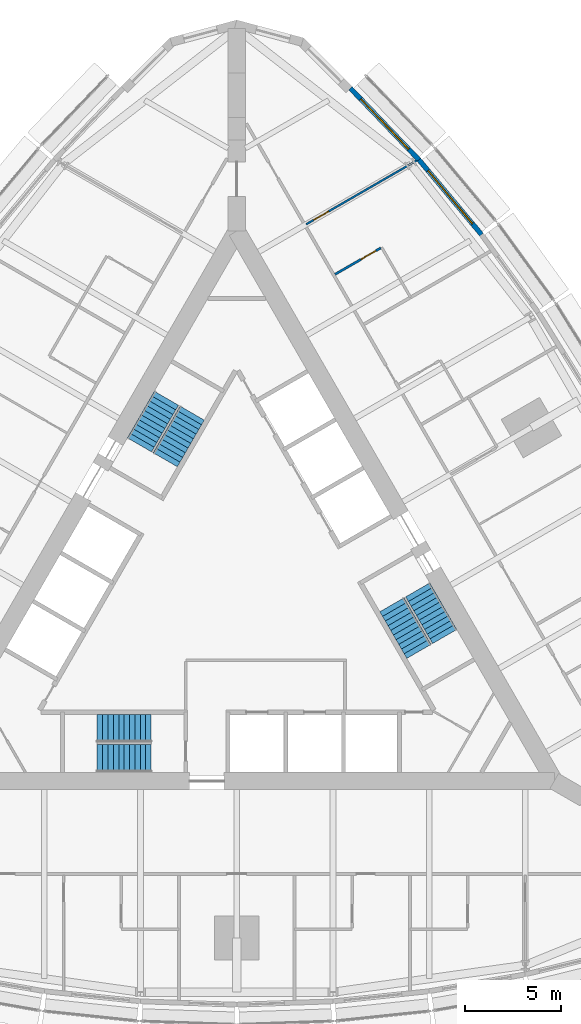
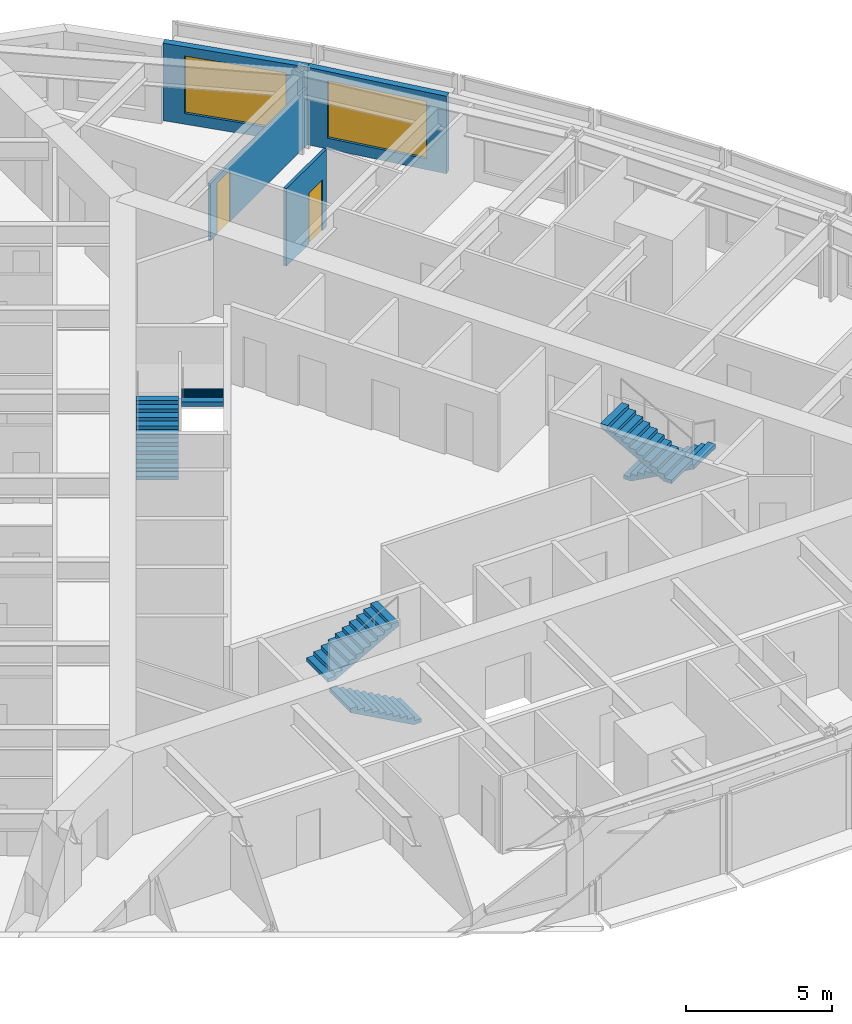
# One storey, part 13 of 14: 6 stair flights, 4 walls, 2 doors, 2 windows, 4 openings, 3 elements without a shape of their own.
"""IFC4 building model written with IfcOpenShell, lengths in metres."""

from ifc_helpers import new_model, si_unit, direction, frame, frame_2d, origin, place, context, subcontext, project, spatial, polyline, rectangle, outline, extrude, material, layer, layer_set, type_object, element, fill, aggregate, save


model = new_model("IFC4")

# Units and contexts
model_context = context("Model", 3, precision=1e-05, world=origin(), true_north=direction((0.0, 1.0)))
body_context = subcontext(model_context, "Body", "Model", "MODEL_VIEW")
ifc_project = project(units=[si_unit("LENGTHUNIT", "METRE"), si_unit("AREAUNIT", "SQUARE_METRE"), si_unit("VOLUMEUNIT", "CUBIC_METRE"), si_unit("PLANEANGLEUNIT", "RADIAN"), si_unit("MASSUNIT", "GRAM", prefix="KILO")], contexts=[model_context])

# Site, building, storey
site_placement = place(None, origin())
site = spatial("IfcSite", under=ifc_project, at=site_placement, CompositionType="ELEMENT")
building_placement = place(site_placement, origin())
building = spatial("IfcBuilding", under=site, at=building_placement, Name="Trikona Tower", CompositionType="ELEMENT")
storey_placement = place(building_placement, frame((0.0, 0.0, 169.10009765625)))
storey = spatial("IfcBuildingStorey", under=building, at=storey_placement, Name="L45", CompositionType="ELEMENT", Elevation=169.10009765625)

# Wall, opening, door
ifc_material_1 = material(Name="Metal stud and cement board", Category="gypsum")
ifc_layer_1 = layer(ifc_material_1, 0.1201171875)
ifc_layer_set_1 = layer_set([ifc_layer_1], Name="Bathroom wall 120")
wall_type_1 = type_object("IfcWallType", Name="Bathroom wall 120", PredefinedType="PLUMBINGWALL", material=ifc_layer_set_1)
wall_1_placement = place(storey_placement, frame((5.10791015625, 16.805419921875, 0.0), z_axis=(0.0, 0.0, 1.0), x_axis=(0.866035715982, 0.499982138324, 0.0)))
wall_1 = element("IfcWall", 1, at=wall_1_placement, inside=storey, type_object=wall_type_1, Name="Bathroom wall 4509.1", PredefinedType="PLUMBINGWALL", context=body_context, shape_type="SweptSolid", body=[
    extrude(rectangle(XDim=2.73974609375, YDim=0.1201171875, at=frame_2d((1.369873046875, 0.0))), origin(), (0.0, 0.0, 1.0), 3.23486328125),
])
opening_1_placement = place(wall_1_placement, frame((1.550048828125, 0.0, 0.0)))
opening_1 = element("IfcOpeningElement", 2, at=opening_1_placement, cuts=wall_1, Name="Opening D2", PredefinedType="OPENING", context=body_context, shape_type="SweptSolid", body=[
    extrude(rectangle(XDim=0.89990234375, YDim=2.1298828125, at=frame_2d((0.449951171875, 1.06494140625))), frame((0.0, 0.070068359375, 0.0), z_axis=(0.0, -1.0, 0.0), x_axis=(1.0, 0.0, 0.0)), (0.0, 0.0, 1.0), 0.14013671875),
])
ifc_material_2 = material(Name="Steel door frame with solid-core timber leaf", Category="steel")
door_type_1 = type_object("IfcDoorType", Name="Bathroom door 900x2130", OperationType="SLIDING_TO_LEFT", PredefinedType="DOOR", material=ifc_material_2)
door_1_placement = place(opening_1_placement, origin())
door_1 = element("IfcDoor", 3, at=door_1_placement, inside=storey, type_object=door_type_1, Name="Bathroom door 4509.1", OperationType="SLIDING_TO_LEFT", OverallHeight=2.1298828125, OverallWidth=0.89990234375, PredefinedType="DOOR", context=body_context, shape_type="SweptSolid", body=[
    extrude(rectangle(XDim=0.89990234375, YDim=2.1298828125, at=frame_2d((0.449951171875, 1.06494140625))), frame((0.0, 0.02490234375, 0.0), z_axis=(0.0, -1.0, 0.0), x_axis=(1.0, 0.0, 0.0)), (0.0, 0.0, 1.0), 0.050048828125),
])
fill(opening_1, door_1)

# Wall, opening, window
ifc_material_3 = material(Name="Insulated precast concrete spandrel panel", Category="concrete")
ifc_layer_2 = layer(ifc_material_3, 0.25)
ifc_layer_set_2 = layer_set([ifc_layer_2], Name="Inner skin wall 250")
wall_type_2 = type_object("IfcWallType", Name="Inner skin wall 250", PredefinedType="STANDARD", material=ifc_layer_set_2)
wall_2_placement = place(storey_placement, frame((12.722900390625, 18.86767578125, 0.0), z_axis=(0.0, 0.0, 1.0), x_axis=(-0.641810386606, 0.766863369607, 0.0)))
wall_2 = element("IfcWall", 4, at=wall_2_placement, inside=storey, type_object=wall_type_2, Name="External wall L45-18", PredefinedType="STANDARD", context=body_context, shape_type="SweptSolid", body=[
    extrude(rectangle(XDim=5.075927734375, YDim=0.25, at=frame_2d((2.5380859375, 0.0))), origin(), (0.0, 0.0, 1.0), 3.23486328125),
])
opening_2_placement = place(wall_2_placement, frame((0.738037109375, 0.0, 0.449951171875)))
opening_2 = element("IfcOpeningElement", 5, at=opening_2_placement, cuts=wall_2, Name="Opening W3624", PredefinedType="OPENING", context=body_context, shape_type="SweptSolid", body=[
    extrude(rectangle(XDim=3.60009765625, YDim=2.39990234375, at=frame_2d((1.800048828125, 1.199951171875))), frame((0.0, 0.135009765625, 0.0), z_axis=(0.0, -1.0, 0.0), x_axis=(1.0, 0.0, 0.0)), (0.0, 0.0, 1.0), 0.27001953125),
])
ifc_material_4 = material(Name="Aluminium-framed double glazing", Category="aluminium")
window_type = type_object("IfcWindowType", Name="Window 3600x2400", PartitioningType="SINGLE_PANEL", PredefinedType="WINDOW", material=ifc_material_4)
window_1_placement = place(opening_2_placement, origin())
window_1 = element("IfcWindow", 6, at=window_1_placement, inside=storey, type_object=window_type, Name="Window 4509.1", OverallHeight=2.39990234375, OverallWidth=3.60009765625, PartitioningType="SINGLE_PANEL", PredefinedType="WINDOW", context=body_context, shape_type="SweptSolid", body=[
    extrude(rectangle(XDim=3.60009765625, YDim=2.39990234375, at=frame_2d((1.800048828125, 1.199951171875))), frame((0.0, 0.030029296875, 0.0), z_axis=(0.0, -1.0, 0.0), x_axis=(1.0, 0.0, 0.0)), (0.0, 0.0, 1.0), 0.06005859375),
])
fill(opening_2, window_1)

wall_3_placement = place(storey_placement, frame((9.470703125, 22.75390625, 0.0), z_axis=(0.0, 0.0, 1.0), x_axis=(-0.691719937936, 0.722165858693, 0.0)))
wall_3 = element("IfcWall", 7, at=wall_3_placement, inside=storey, type_object=wall_type_2, Name="External wall L45-19", PredefinedType="STANDARD", context=body_context, shape_type="SweptSolid", body=[
    extrude(rectangle(XDim=5.148193359375, YDim=0.25, at=frame_2d((2.57421875, 0.0))), origin(), (0.0, 0.0, 1.0), 3.23486328125),
])
opening_3_placement = place(wall_3_placement, frame((0.77392578125, 0.0, 0.449951171875)))
opening_3 = element("IfcOpeningElement", 8, at=opening_3_placement, cuts=wall_3, Name="Opening W3624", PredefinedType="OPENING", context=body_context, shape_type="SweptSolid", body=[
    extrude(rectangle(XDim=3.60009765625, YDim=2.39990234375, at=frame_2d((1.800048828125, 1.199951171875))), frame((0.0, 0.135009765625, 0.0), z_axis=(0.0, -1.0, 0.0), x_axis=(1.0, 0.0, 0.0)), (0.0, 0.0, 1.0), 0.27001953125),
])
window_2_placement = place(opening_3_placement, origin())
window_2 = element("IfcWindow", 9, at=window_2_placement, inside=storey, type_object=window_type, Name="Window 4509", OverallHeight=2.39990234375, OverallWidth=3.60009765625, PartitioningType="SINGLE_PANEL", PredefinedType="WINDOW", context=body_context, shape_type="SweptSolid", body=[
    extrude(rectangle(XDim=3.60009765625, YDim=2.39990234375, at=frame_2d((1.800048828125, 1.199951171875))), frame((0.0, 0.030029296875, 0.0), z_axis=(0.0, -1.0, 0.0), x_axis=(1.0, 0.0, 0.0)), (0.0, 0.0, 1.0), 0.06005859375),
])
fill(opening_3, window_2)

# Wall, opening, door
ifc_material_5 = material(Name="Metal stud and gypsum board, acoustic", Category="gypsum")
ifc_layer_3 = layer(ifc_material_5, 0.10009765625)
ifc_layer_set_3 = layer_set([ifc_layer_3], Name="Suite partition 100")
wall_type_3 = type_object("IfcWallType", Name="Suite partition 100", PredefinedType="PARTITIONING", material=ifc_layer_set_3)
wall_4_placement = place(storey_placement, frame((3.60791015625, 19.403564453125, 0.0), z_axis=(0.0, 0.0, 1.0), x_axis=(0.866015989873, 0.500016305018, 0.0)))
wall_4 = element("IfcWall", 10, at=wall_4_placement, inside=storey, type_object=wall_type_3, Name="Suite partition L45 F2 u15", PredefinedType="PARTITIONING", context=body_context, shape_type="SweptSolid", body=[
    extrude(rectangle(XDim=6.616455078125, YDim=0.10009765625, at=frame_2d((3.30810546875, 0.0))), origin(), (0.0, 0.0, 1.0), 2.38916015625),
])
opening_4_placement = place(wall_4_placement, frame((0.449951171875, 0.0, 0.0)))
opening_4 = element("IfcOpeningElement", 11, at=opening_4_placement, cuts=wall_4, Name="Opening D13", PredefinedType="OPENING", context=body_context, shape_type="SweptSolid", body=[
    extrude(rectangle(XDim=0.89990234375, YDim=2.1298828125, at=frame_2d((0.449951171875, 1.06494140625))), frame((0.0, 0.06005859375, 0.0), z_axis=(0.0, -1.0, 0.0), x_axis=(1.0, 0.0, 0.0)), (0.0, 0.0, 1.0), 0.1201171875),
])
ifc_material_6 = material(Name="Steel door frame with solid-core timber leaf", Category="steel")
door_type_2 = type_object("IfcDoorType", Name="Suite door 900x2130", OperationType="SINGLE_SWING_LEFT", PredefinedType="DOOR", material=ifc_material_6)
door_2_placement = place(opening_4_placement, origin())
door_2 = element("IfcDoor", 12, at=door_2_placement, inside=storey, type_object=door_type_2, Name="Suite door 4509", OperationType="SINGLE_SWING_LEFT", OverallHeight=2.1298828125, OverallWidth=0.89990234375, PredefinedType="DOOR", context=body_context, shape_type="SweptSolid", body=[
    extrude(rectangle(XDim=0.89990234375, YDim=2.1298828125, at=frame_2d((0.449951171875, 1.06494140625))), frame((0.0, 0.02490234375, 0.0), z_axis=(0.0, -1.0, 0.0), x_axis=(1.0, 0.0, 0.0)), (0.0, 0.0, 1.0), 0.050048828125),
])
fill(opening_4, door_2)

# Stair, stair flights
ifc_material_7 = material(Name="Concrete f'c 5000 psi", Category="concrete")
stair_type = type_object("IfcStairType", Name="Core stair", PredefinedType="HALF_TURN_STAIR", material=ifc_material_7)
stair_1_placement = place(storey_placement, origin())
stair_1 = element("IfcStair", 13, at=stair_1_placement, inside=storey, type_object=stair_type, Name="Stair A L45", PredefinedType="HALF_TURN_STAIR")
ifc_material_8 = material(Name="Concrete f'c 5000 psi", Category="concrete")
stair_flight_type = type_object("IfcStairFlightType", Name="Core stair flight 1450", PredefinedType="STRAIGHT", material=ifc_material_8)
stair_flight_1_placement = place(storey_placement, frame((-4.449951171875, -8.351318359375, 0.0), z_axis=(0.0, 0.0, 1.0), x_axis=(-1.0, 0.0, 0.0)))
stair_flight_1 = element("IfcStairFlight", 14, at=stair_flight_1_placement, type_object=stair_flight_type, Name="ST-A flight 1", NumberOfRisers=11, NumberOfTreads=10, PredefinedType="STRAIGHT", RiserHeight=0.154545, TreadLength=0.28, context=body_context, shape_type="SweptSolid", body=[
    extrude(outline(polyline([(0.0, 0.0), (0.0, 0.154541015625), (0.280029296875, 0.154541015625), (0.280029296875, 0.30908203125), (0.56005859375, 0.30908203125), (0.56005859375, 0.463623046875), (0.840087890625, 0.463623046875), (0.840087890625, 0.6181640625), (1.1201171875, 0.6181640625), (1.1201171875, 0.772705078125), (1.39990234375, 0.772705078125), (1.39990234375, 0.92724609375), (1.679931640625, 0.92724609375), (1.679931640625, 1.081787109375), (1.9599609375, 1.081787109375), (1.9599609375, 1.236328125), (2.239990234375, 1.236328125), (2.239990234375, 1.390869140625), (2.52001953125, 1.390869140625), (2.52001953125, 1.54541015625), (2.800048828125, 1.54541015625), (2.800048828125, 1.699951171875), (2.800048828125, 1.374267578125), (0.310302734375, 0.0), (0.0, 0.0)])), frame((0.0, 0.72509765625, 0.0), z_axis=(0.0, -1.0, 0.0), x_axis=(1.0, 0.0, 0.0)), (0.0, 0.0, 1.0), 1.449951171875),
])
stair_flight_2_placement = place(storey_placement, frame((-7.25, -6.80126953125, 1.699951171875), z_axis=(0.0, 0.0, 1.0), x_axis=(1.0, 0.0, 0.0)))
stair_flight_2 = element("IfcStairFlight", 15, at=stair_flight_2_placement, type_object=stair_flight_type, Name="ST-A flight 2", NumberOfRisers=11, NumberOfTreads=10, PredefinedType="STRAIGHT", RiserHeight=0.154545, TreadLength=0.28, context=body_context, shape_type="SweptSolid", body=[
    extrude(outline(polyline([(0.0, 0.0), (0.0, 0.154541015625), (0.280029296875, 0.154541015625), (0.280029296875, 0.30908203125), (0.56005859375, 0.30908203125), (0.56005859375, 0.463623046875), (0.840087890625, 0.463623046875), (0.840087890625, 0.6181640625), (1.1201171875, 0.6181640625), (1.1201171875, 0.772705078125), (1.39990234375, 0.772705078125), (1.39990234375, 0.92724609375), (1.679931640625, 0.92724609375), (1.679931640625, 1.081787109375), (1.9599609375, 1.081787109375), (1.9599609375, 1.236328125), (2.239990234375, 1.236328125), (2.239990234375, 1.390869140625), (2.52001953125, 1.390869140625), (2.52001953125, 1.54541015625), (2.800048828125, 1.54541015625), (2.800048828125, 1.699951171875), (2.800048828125, 1.374267578125), (0.310302734375, 0.0), (0.0, 0.0)])), frame((0.0, 0.72509765625, 0.0), z_axis=(0.0, -1.0, 0.0), x_axis=(1.0, 0.0, 0.0)), (0.0, 0.0, 1.0), 1.449951171875),
])
aggregate(stair_1, [stair_flight_1, stair_flight_2])

stair_2_placement = place(storey_placement, origin())
stair_2 = element("IfcStair", 16, at=stair_2_placement, inside=storey, type_object=stair_type, Name="Stair B L45", PredefinedType="HALF_TURN_STAIR")
stair_flight_3_placement = place(storey_placement, frame((9.407470703125, 0.408447265625, 0.0), z_axis=(0.0, 0.0, 1.0), x_axis=(0.5, -0.866025403784, 0.0)))
stair_flight_3 = element("IfcStairFlight", 17, at=stair_flight_3_placement, type_object=stair_flight_type, Name="ST-B flight 1", NumberOfRisers=11, NumberOfTreads=10, PredefinedType="STRAIGHT", RiserHeight=0.154545, TreadLength=0.28, context=body_context, shape_type="SweptSolid", body=[
    extrude(outline(polyline([(0.0, 0.0), (0.0, 0.154541015625), (0.280029296875, 0.154541015625), (0.280029296875, 0.30908203125), (0.56005859375, 0.30908203125), (0.56005859375, 0.463623046875), (0.840087890625, 0.463623046875), (0.840087890625, 0.6181640625), (1.1201171875, 0.6181640625), (1.1201171875, 0.772705078125), (1.39990234375, 0.772705078125), (1.39990234375, 0.92724609375), (1.679931640625, 0.92724609375), (1.679931640625, 1.081787109375), (1.9599609375, 1.081787109375), (1.9599609375, 1.236328125), (2.239990234375, 1.236328125), (2.239990234375, 1.390869140625), (2.52001953125, 1.390869140625), (2.52001953125, 1.54541015625), (2.800048828125, 1.54541015625), (2.800048828125, 1.699951171875), (2.800048828125, 1.374267578125), (0.310302734375, 0.0), (0.0, 0.0)])), frame((0.0, 0.72509765625, 0.0), z_axis=(0.0, -1.0, 0.0), x_axis=(1.0, 0.0, 0.0)), (0.0, 0.0, 1.0), 1.449951171875),
])
stair_flight_4_placement = place(storey_placement, frame((9.465087890625, -2.79150390625, 1.699951171875), z_axis=(0.0, 0.0, 1.0), x_axis=(-0.5, 0.866025403784, 0.0)))
stair_flight_4 = element("IfcStairFlight", 18, at=stair_flight_4_placement, type_object=stair_flight_type, Name="ST-B flight 2", NumberOfRisers=11, NumberOfTreads=10, PredefinedType="STRAIGHT", RiserHeight=0.154545, TreadLength=0.28, context=body_context, shape_type="SweptSolid", body=[
    extrude(outline(polyline([(0.0, 0.0), (0.0, 0.154541015625), (0.280029296875, 0.154541015625), (0.280029296875, 0.30908203125), (0.56005859375, 0.30908203125), (0.56005859375, 0.463623046875), (0.840087890625, 0.463623046875), (0.840087890625, 0.6181640625), (1.1201171875, 0.6181640625), (1.1201171875, 0.772705078125), (1.39990234375, 0.772705078125), (1.39990234375, 0.92724609375), (1.679931640625, 0.92724609375), (1.679931640625, 1.081787109375), (1.9599609375, 1.081787109375), (1.9599609375, 1.236328125), (2.239990234375, 1.236328125), (2.239990234375, 1.390869140625), (2.52001953125, 1.390869140625), (2.52001953125, 1.54541015625), (2.800048828125, 1.54541015625), (2.800048828125, 1.699951171875), (2.800048828125, 1.374267578125), (0.310302734375, 0.0), (0.0, 0.0)])), frame((0.0, 0.72509765625, 0.0), z_axis=(0.0, -1.0, 0.0), x_axis=(1.0, 0.0, 0.0)), (0.0, 0.0, 1.0), 1.449951171875),
])
aggregate(stair_2, [stair_flight_3, stair_flight_4])

stair_3_placement = place(storey_placement, origin())
stair_3 = element("IfcStair", 19, at=stair_3_placement, inside=storey, type_object=stair_type, Name="Stair C L45", PredefinedType="HALF_TURN_STAIR")
stair_flight_5_placement = place(storey_placement, frame((-5.057373046875, 7.94287109375, 0.0), z_axis=(0.0, 0.0, 1.0), x_axis=(0.5, 0.866025403784, 0.0)))
stair_flight_5 = element("IfcStairFlight", 20, at=stair_flight_5_placement, type_object=stair_flight_type, Name="ST-C flight 1", NumberOfRisers=11, NumberOfTreads=10, PredefinedType="STRAIGHT", RiserHeight=0.154545, TreadLength=0.28, context=body_context, shape_type="SweptSolid", body=[
    extrude(outline(polyline([(0.0, 0.0), (0.0, 0.154541015625), (0.280029296875, 0.154541015625), (0.280029296875, 0.30908203125), (0.56005859375, 0.30908203125), (0.56005859375, 0.463623046875), (0.840087890625, 0.463623046875), (0.840087890625, 0.6181640625), (1.1201171875, 0.6181640625), (1.1201171875, 0.772705078125), (1.39990234375, 0.772705078125), (1.39990234375, 0.92724609375), (1.679931640625, 0.92724609375), (1.679931640625, 1.081787109375), (1.9599609375, 1.081787109375), (1.9599609375, 1.236328125), (2.239990234375, 1.236328125), (2.239990234375, 1.390869140625), (2.52001953125, 1.390869140625), (2.52001953125, 1.54541015625), (2.800048828125, 1.54541015625), (2.800048828125, 1.699951171875), (2.800048828125, 1.374267578125), (0.310302734375, 0.0), (0.0, 0.0)])), frame((0.0, 0.72509765625, 0.0), z_axis=(0.0, -1.0, 0.0), x_axis=(1.0, 0.0, 0.0)), (0.0, 0.0, 1.0), 1.449951171875),
])
stair_flight_6_placement = place(storey_placement, frame((-2.315185546875, 9.5927734375, 1.699951171875), z_axis=(0.0, 0.0, 1.0), x_axis=(-0.5, -0.866025403784, 0.0)))
stair_flight_6 = element("IfcStairFlight", 21, at=stair_flight_6_placement, type_object=stair_flight_type, Name="ST-C flight 2", NumberOfRisers=11, NumberOfTreads=10, PredefinedType="STRAIGHT", RiserHeight=0.154545, TreadLength=0.28, context=body_context, shape_type="SweptSolid", body=[
    extrude(outline(polyline([(0.0, 0.0), (0.0, 0.154541015625), (0.280029296875, 0.154541015625), (0.280029296875, 0.30908203125), (0.56005859375, 0.30908203125), (0.56005859375, 0.463623046875), (0.840087890625, 0.463623046875), (0.840087890625, 0.6181640625), (1.1201171875, 0.6181640625), (1.1201171875, 0.772705078125), (1.39990234375, 0.772705078125), (1.39990234375, 0.92724609375), (1.679931640625, 0.92724609375), (1.679931640625, 1.081787109375), (1.9599609375, 1.081787109375), (1.9599609375, 1.236328125), (2.239990234375, 1.236328125), (2.239990234375, 1.390869140625), (2.52001953125, 1.390869140625), (2.52001953125, 1.54541015625), (2.800048828125, 1.54541015625), (2.800048828125, 1.699951171875), (2.800048828125, 1.374267578125), (0.310302734375, 0.0), (0.0, 0.0)])), frame((0.0, 0.72509765625, 0.0), z_axis=(0.0, -1.0, 0.0), x_axis=(1.0, 0.0, 0.0)), (0.0, 0.0, 1.0), 1.449951171875),
])
aggregate(stair_3, [stair_flight_5, stair_flight_6])

save(model, "model.ifc")
